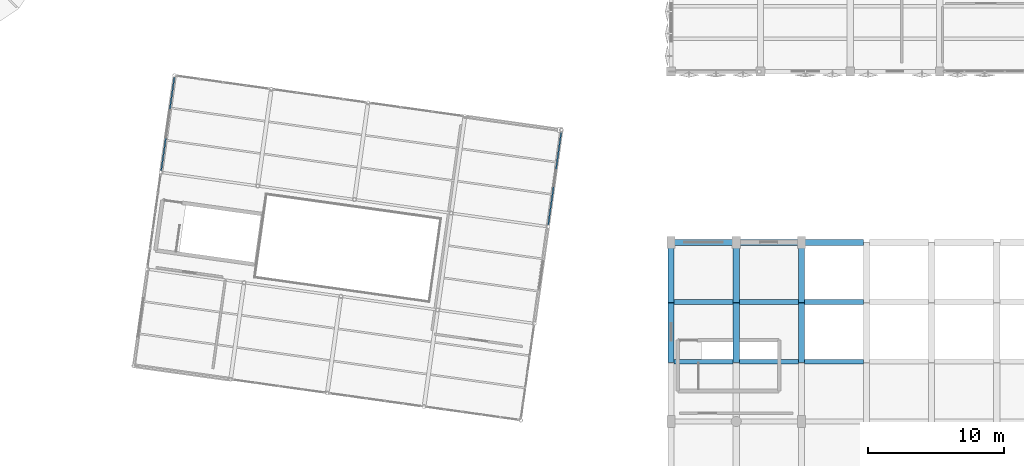
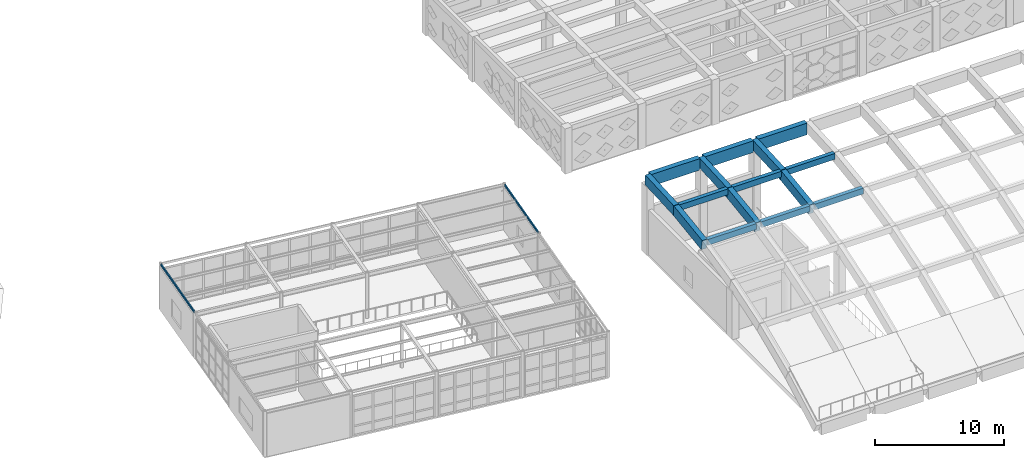
# One storey, part 26 of 67: 17 beams.
"""IFC4 building model written with IfcOpenShell, lengths in metres."""

from ifc_helpers import new_model, si_unit, direction, frame, origin, origin_2d, place, context, subcontext, project, spatial, rectangle, hollow_rectangle, extrude, material, material_profile, profile_set, type_object, element, save


model = new_model("IFC4")

# Units and contexts
model_context = context("Model", 3, precision=1e-05, world=origin(), true_north=direction((0.0, 1.0)))
body_context = subcontext(model_context, "Body", "Model", "MODEL_VIEW")
ifc_project = project(units=[si_unit("LENGTHUNIT", "METRE"), si_unit("AREAUNIT", "SQUARE_METRE"), si_unit("VOLUMEUNIT", "CUBIC_METRE"), si_unit("PLANEANGLEUNIT", "RADIAN"), si_unit("MASSUNIT", "GRAM", prefix="KILO")], contexts=[model_context])

# Site, building, storey
site_placement = place(None, origin())
site = spatial("IfcSite", under=ifc_project, at=site_placement, CompositionType="ELEMENT")
building_placement = place(site_placement, origin())
building = spatial("IfcBuilding", under=site, at=building_placement, Name="Kharisveld Research Institute", CompositionType="ELEMENT")
storey_placement = place(building_placement, frame((0.0, 0.0, 9.60009765625)))
storey = spatial("IfcBuildingStorey", under=building, at=storey_placement, Name="L02", CompositionType="ELEMENT", Elevation=9.60009765625)

# Beams
ifc_material_1 = material(Name="Concrete C40/50", Category="concrete")
ifc_material_profile_1 = material_profile(ifc_material_1, rectangle(XDim=0.35009765625, YDim=0.550048828125, at=origin_2d()))
ifc_profile_set_1 = profile_set([ifc_material_profile_1], Name="Concrete C40/50")
beam_type_1 = type_object("IfcBeamType", Name="BM_RC_350x550", PredefinedType="BEAM", material=ifc_profile_set_1)
for number, where, z_axis, x_axis, name in (
    (1, (114.824951171875, 17.800048828125, 6.228759765625), (1.0, 0.0, 0.0), (0.0, 1.0, 0.0), "BM:V5:L02:SHELLLON_S4_1"),
    (2, (119.625, 17.800048828125, 6.228759765625), (1.0, 0.0, 0.0), (0.0, 1.0, 0.0), "BM:V5:L02:SHELLLON_S4_2"),
):
    element("IfcBeam", number, at=place(storey_placement, frame(where, z_axis=z_axis, x_axis=x_axis)), inside=storey, type_object=beam_type_1, Name=name, PredefinedType="BEAM", context=body_context, shape_type="SweptSolid", body=[
        extrude(rectangle(XDim=0.35009765625, YDim=0.550048828125, at=origin_2d()), origin(), (0.0, 0.0, 1.0), 4.35009765625),
    ])
beam_1_placement = place(storey_placement, frame((124.425048828125, 17.800048828125, 6.228759765625), z_axis=(1.0, 0.0, 0.0), x_axis=(0.0, 1.0, 0.0)))
element("IfcBeam", 3, at=beam_1_placement, inside=storey, type_object=beam_type_1, Name="BM:V5:L02:SHELLLON_S4_3", PredefinedType="BEAM", context=body_context, shape_type="SweptSolid", body=[
    extrude(rectangle(XDim=0.35009765625, YDim=0.550048828125, at=origin_2d()), origin(), (0.0, 0.0, 1.0), 4.349853515625),
])
for number, where, z_axis, x_axis, name in (
    (4, (114.824951171875, 22.199951171875, 6.85107421875), (1.0, 0.0, 0.0), (0.0, 1.0, 0.0), "BM:V5:L02:SHELLLON_S5_1"),
    (5, (119.625, 22.199951171875, 6.85107421875), (1.0, 0.0, 0.0), (0.0, 1.0, 0.0), "BM:V5:L02:SHELLLON_S5_2"),
):
    element("IfcBeam", number, at=place(storey_placement, frame(where, z_axis=z_axis, x_axis=x_axis)), inside=storey, type_object=beam_type_1, Name=name, PredefinedType="BEAM", context=body_context, shape_type="SweptSolid", body=[
        extrude(rectangle(XDim=0.35009765625, YDim=0.550048828125, at=origin_2d()), origin(), (0.0, 0.0, 1.0), 4.35009765625),
    ])
beam_2_placement = place(storey_placement, frame((124.425048828125, 22.199951171875, 6.85107421875), z_axis=(1.0, 0.0, 0.0), x_axis=(0.0, 1.0, 0.0)))
element("IfcBeam", 6, at=beam_2_placement, inside=storey, type_object=beam_type_1, Name="BM:V5:L02:SHELLLON_S5_3", PredefinedType="BEAM", context=body_context, shape_type="SweptSolid", body=[
    extrude(rectangle(XDim=0.35009765625, YDim=0.550048828125, at=origin_2d()), origin(), (0.0, 0.0, 1.0), 4.349853515625),
])
ifc_material_2 = material(Name="Concrete C40/50", Category="concrete")
ifc_material_profile_2 = material_profile(ifc_material_2, rectangle(XDim=0.449951171875, YDim=1.10009765625, at=origin_2d()))
ifc_profile_set_2 = profile_set([ifc_material_profile_2], Name="Concrete C40/50")
beam_type_2 = type_object("IfcBeamType", Name="EB_RC_450x1100", PredefinedType="BEAM", material=ifc_profile_set_2)
for number, where, z_axis, x_axis, name in (
    (7, (114.824951171875, 26.60009765625, 6.81982421875), (1.0, 0.0, 0.0), (0.0, 1.0, 0.0), "BM:V5:L02:SHELLLON_S6_1"),
    (8, (119.625, 26.60009765625, 6.81982421875), (1.0, 0.0, 0.0), (0.0, 1.0, 0.0), "BM:V5:L02:SHELLLON_S6_2"),
):
    element("IfcBeam", number, at=place(storey_placement, frame(where, z_axis=z_axis, x_axis=x_axis)), inside=storey, type_object=beam_type_2, Name=name, PredefinedType="BEAM", context=body_context, shape_type="SweptSolid", body=[
        extrude(rectangle(XDim=0.449951171875, YDim=1.10009765625, at=origin_2d()), origin(), (0.0, 0.0, 1.0), 4.35009765625),
    ])
beam_3_placement = place(storey_placement, frame((124.425048828125, 26.60009765625, 6.81982421875), z_axis=(1.0, 0.0, 0.0), x_axis=(0.0, 1.0, 0.0)))
element("IfcBeam", 9, at=beam_3_placement, inside=storey, type_object=beam_type_2, Name="BM:V5:L02:SHELLLON_S6_3", PredefinedType="BEAM", context=body_context, shape_type="SweptSolid", body=[
    extrude(rectangle(XDim=0.449951171875, YDim=1.10009765625, at=origin_2d()), origin(), (0.0, 0.0, 1.0), 4.349853515625),
])
ifc_material_3 = material(Name="Steel S355J2H", Category="steel")
ifc_material_profile_3 = material_profile(ifc_material_3, hollow_rectangle(XDim=0.10009765625, YDim=0.199951171875, WallThickness=0.008056640625, at=origin_2d()))
ifc_profile_set_3 = profile_set([ifc_material_profile_3], Name="Steel S355J2H")
beam_type_3 = type_object("IfcBeamType", Name="SP_ST_RHS200", PredefinedType="SPANDREL", material=ifc_profile_set_3)
beam_4_placement = place(storey_placement, frame((77.023193359375, 31.89501953125, 4.204833984375), z_axis=(0.13914628651, 0.990271836897, 0.0), x_axis=(-0.990271836897, 0.13914628651, 0.0)))
element("IfcBeam", 10, at=beam_4_placement, inside=storey, type_object=beam_type_3, Name="BM:V4:L02:V0_2", PredefinedType="SPANDREL", context=body_context, shape_type="SweptSolid", body=[
    extrude(hollow_rectangle(XDim=0.10009765625, YDim=0.199951171875, WallThickness=0.008056640625, at=origin_2d()), origin(), (0.0, 0.0, 1.0), 6.927001953125),
])
beam_5_placement = place(storey_placement, frame((105.542724609375, 27.886962890625, 4.204833984375), z_axis=(0.139185706405, 0.99026629708, 0.0), x_axis=(-0.99026629708, 0.139185706405, 0.0)))
element("IfcBeam", 11, at=beam_5_placement, inside=storey, type_object=beam_type_3, Name="BM:V4:L02:V4_2", PredefinedType="SPANDREL", context=body_context, shape_type="SweptSolid", body=[
    extrude(hollow_rectangle(XDim=0.10009765625, YDim=0.199951171875, WallThickness=0.008056640625, at=origin_2d()), origin(), (0.0, 0.0, 1.0), 6.9267578125),
])
ifc_material_4 = material(Name="Concrete C40/50", Category="concrete")
ifc_material_profile_4 = material_profile(ifc_material_4, rectangle(XDim=0.449951171875, YDim=0.949951171875, at=origin_2d()))
ifc_profile_set_4 = profile_set([ifc_material_profile_4], Name="Concrete C40/50")
beam_type_4 = type_object("IfcBeamType", Name="SR_RC_450x950", PredefinedType="BEAM", material=ifc_profile_set_4)
beam_6_placement = place(storey_placement, frame((114.60009765625, 17.800048828125, 6.02880859375), z_axis=(0.0, 0.990145224709, 0.140044400055), x_axis=(-1.0, 0.0, 0.0)))
element("IfcBeam", 12, at=beam_6_placement, inside=storey, type_object=beam_type_4, Name="BM:V5:L02:ARCHRIB_R1_S5", PredefinedType="BEAM", context=body_context, shape_type="SweptSolid", body=[
    extrude(rectangle(XDim=0.449951171875, YDim=0.949951171875, at=origin_2d()), origin(), (0.0, 0.0, 1.0), 4.443603515625),
])
beam_7_placement = place(storey_placement, frame((114.60009765625, 22.199951171875, 6.651123046875), z_axis=(0.0, 0.998467334155, 0.055344219432), x_axis=(-1.0, 0.0, 0.0)))
element("IfcBeam", 13, at=beam_7_placement, inside=storey, type_object=beam_type_4, Name="BM:V5:L02:ARCHRIB_R1_S6", PredefinedType="BEAM", context=body_context, shape_type="SweptSolid", body=[
    extrude(rectangle(XDim=0.449951171875, YDim=0.949951171875, at=origin_2d()), origin(), (0.0, 0.0, 1.0), 4.406982421875),
])
beam_8_placement = place(storey_placement, frame((119.39990234375, 17.800048828125, 6.02880859375), z_axis=(0.0, 0.990145224709, 0.140044400055), x_axis=(-1.0, 0.0, 0.0)))
element("IfcBeam", 14, at=beam_8_placement, inside=storey, type_object=beam_type_4, Name="BM:V5:L02:ARCHRIB_R2_S5", PredefinedType="BEAM", context=body_context, shape_type="SweptSolid", body=[
    extrude(rectangle(XDim=0.449951171875, YDim=0.949951171875, at=origin_2d()), origin(), (0.0, 0.0, 1.0), 4.443603515625),
])
beam_9_placement = place(storey_placement, frame((119.39990234375, 22.199951171875, 6.651123046875), z_axis=(0.0, 0.998467334155, 0.055344219432), x_axis=(-1.0, 0.0, 0.0)))
element("IfcBeam", 15, at=beam_9_placement, inside=storey, type_object=beam_type_4, Name="BM:V5:L02:ARCHRIB_R2_S6", PredefinedType="BEAM", context=body_context, shape_type="SweptSolid", body=[
    extrude(rectangle(XDim=0.449951171875, YDim=0.949951171875, at=origin_2d()), origin(), (0.0, 0.0, 1.0), 4.406982421875),
])
beam_10_placement = place(storey_placement, frame((124.199951171875, 17.800048828125, 6.02880859375), z_axis=(0.0, 0.990145224709, 0.140044400055), x_axis=(-1.0, 0.0, 0.0)))
element("IfcBeam", 16, at=beam_10_placement, inside=storey, type_object=beam_type_4, Name="BM:V5:L02:ARCHRIB_R3_S5", PredefinedType="BEAM", context=body_context, shape_type="SweptSolid", body=[
    extrude(rectangle(XDim=0.449951171875, YDim=0.949951171875, at=origin_2d()), origin(), (0.0, 0.0, 1.0), 4.443603515625),
])
beam_11_placement = place(storey_placement, frame((124.199951171875, 22.199951171875, 6.651123046875), z_axis=(0.0, 0.998467334155, 0.055344219432), x_axis=(-1.0, 0.0, 0.0)))
element("IfcBeam", 17, at=beam_11_placement, inside=storey, type_object=beam_type_4, Name="BM:V5:L02:ARCHRIB_R3_S6", PredefinedType="BEAM", context=body_context, shape_type="SweptSolid", body=[
    extrude(rectangle(XDim=0.449951171875, YDim=0.949951171875, at=origin_2d()), origin(), (0.0, 0.0, 1.0), 4.406982421875),
])

save(model, "model.ifc")
